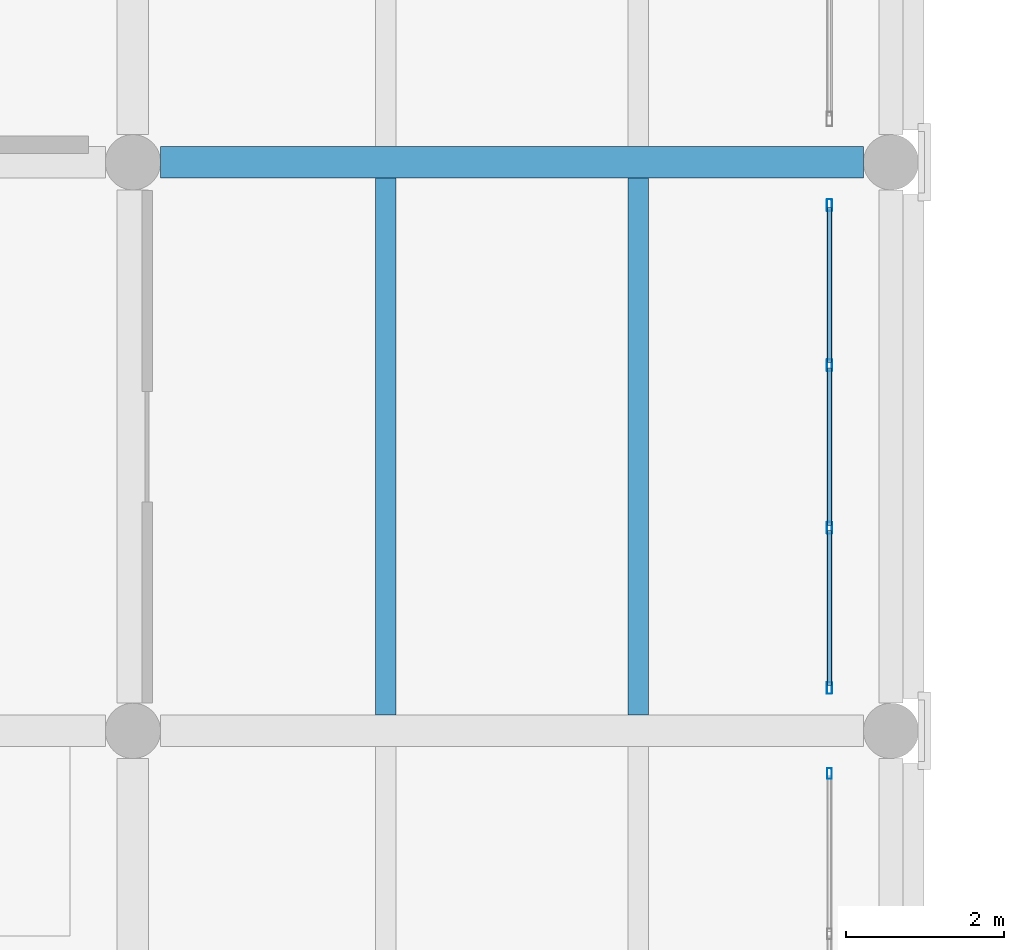
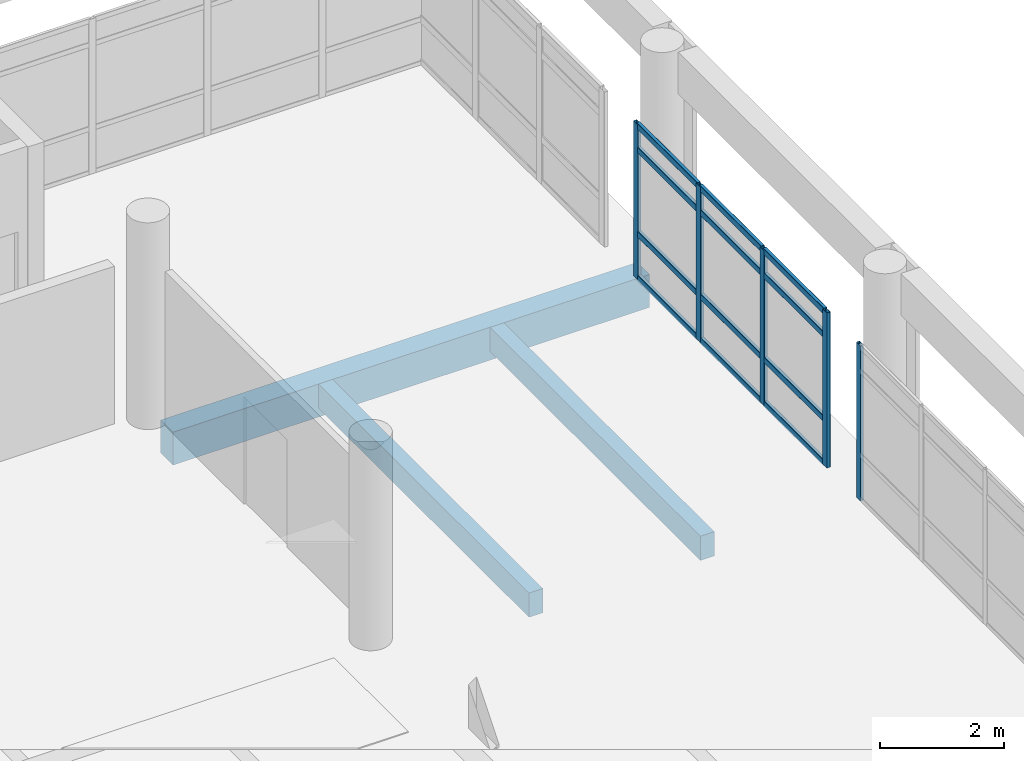
# One storey, part 51 of 180: 17 members, 3 beams, 2 elements without a shape of their own.
"""IFC4 building model written with IfcOpenShell, lengths in metres."""

from ifc_helpers import new_model, si_unit, direction, frame, origin, origin_2d, place, context, subcontext, project, spatial, rectangle, hollow_rectangle, extrude, material, layer, layer_set, material_profile, profile_set, type_object, element, aggregate, save


model = new_model("IFC4")

# Units and contexts
model_context = context("Model", 3, precision=1e-05, world=origin(), true_north=direction((0.0, 1.0)))
body_context = subcontext(model_context, "Body", "Model", "MODEL_VIEW")
ifc_project = project(units=[si_unit("LENGTHUNIT", "METRE"), si_unit("AREAUNIT", "SQUARE_METRE"), si_unit("VOLUMEUNIT", "CUBIC_METRE"), si_unit("PLANEANGLEUNIT", "RADIAN"), si_unit("MASSUNIT", "GRAM", prefix="KILO")], contexts=[model_context])

# Site, building, storey
site_placement = place(None, origin())
site = spatial("IfcSite", under=ifc_project, at=site_placement, CompositionType="ELEMENT")
building_placement = place(site_placement, origin())
building = spatial("IfcBuilding", under=site, at=building_placement, Name="Asteropetra Specialist Clinic", CompositionType="ELEMENT")
storey_placement = place(building_placement, frame((0.0, 0.0, 4.419921875)))
storey = spatial("IfcBuildingStorey", under=building, at=storey_placement, Name="L01", CompositionType="ELEMENT", Elevation=4.419921875)

# Beam
ifc_material_1 = material(Name="Concrete C35/45", Category="concrete")
ifc_material_profile_1 = material_profile(ifc_material_1, rectangle(XDim=0.39990234375, YDim=0.64990234375, at=origin_2d()), Name="RCB 400x650")
ifc_profile_set_1 = profile_set([ifc_material_profile_1], Name="Concrete C35/45")
beam_type_1 = type_object("IfcBeamType", Name="BM-RC400x650", PredefinedType="BEAM", material=ifc_profile_set_1)
beam_placement = place(storey_placement, frame((38.75, 55.199951171875, -0.625), z_axis=(1.0, 0.0, 0.0), x_axis=(0.0, 1.0, 0.0)))
element("IfcBeam", 1, at=beam_placement, inside=storey, type_object=beam_type_1, Name="Beam BBM07-0328", PredefinedType="BEAM", context=body_context, shape_type="SweptSolid", body=[
    extrude(rectangle(XDim=0.39990234375, YDim=0.64990234375, at=origin_2d()), origin(), (0.0, 0.0, 1.0), 8.89990234375),
])

# Curtain wall, member
ifc_material_2 = material(Name="Aluminium and low-E glass", Category="aluminium")
ifc_layer = layer(ifc_material_2, 0.179931640625)
ifc_layer_set = layer_set([ifc_layer], Name="Aluminium and low-E glass")
curtain_wall_type = type_object("IfcCurtainWallType", Name="CW-SYS-10", PredefinedType="USERDEFINED", material=ifc_layer_set)
curtain_wall_1_placement = place(storey_placement, origin())
curtain_wall_1 = element("IfcCurtainWall", 2, at=curtain_wall_1_placement, inside=storey, type_object=curtain_wall_type, Name="Curtain Wall CW-161", ObjectType="STICK GLAZED COLONNADE", PredefinedType="USERDEFINED")
ifc_material_3 = material(Name="Aluminium 6063-T6", Category="aluminium")
ifc_material_profile_2 = material_profile(ifc_material_3, hollow_rectangle(XDim=0.06005859375, YDim=0.135009765625, WallThickness=0.00341796875, InnerFilletRadius=0.00341796875, OuterFilletRadius=0.007080078125, at=origin_2d()), Name="MUL 135x60x3.5")
ifc_profile_set_2 = profile_set([ifc_material_profile_2], Name="Aluminium 6063-T6")
member_type_1 = type_object("IfcMemberType", Name="CWM-135x60", PredefinedType="MULLION", material=ifc_profile_set_2)
member_1_placement = place(storey_placement, frame((47.219970703125, 47.4599609375, 0.0), z_axis=(0.0, 0.0, 1.0), x_axis=(-1.0, 0.0, 0.0)))
member_1 = element("IfcMember", 3, at=member_1_placement, type_object=member_type_1, Name="CW-161 mullion 4", PredefinedType="MULLION", context=body_context, shape_type="SweptSolid", body=[
    extrude(hollow_rectangle(XDim=0.06005859375, YDim=0.135009765625, WallThickness=0.00341796875, InnerFilletRadius=0.00341796875, OuterFilletRadius=0.007080078125, at=origin_2d()), origin(), (0.0, 0.0, 1.0), 3.06005859375),
])
aggregate(curtain_wall_1, [member_1])

# Curtain wall, members
curtain_wall_2_placement = place(storey_placement, origin())
curtain_wall_2 = element("IfcCurtainWall", 4, at=curtain_wall_2_placement, inside=storey, type_object=curtain_wall_type, Name="Curtain Wall CW-163", ObjectType="STICK GLAZED COLONNADE", PredefinedType="USERDEFINED")
ifc_material_4 = material(Name="Aluminium 6063-T6", Category="aluminium")
ifc_material_profile_3 = material_profile(ifc_material_4, hollow_rectangle(XDim=0.06494140625, YDim=0.14990234375, WallThickness=0.00390625, InnerFilletRadius=0.00390625, OuterFilletRadius=0.008056640625, at=origin_2d()), Name="MUL 150x65x4.0")
ifc_profile_set_3 = profile_set([ifc_material_profile_3], Name="Aluminium 6063-T6")
member_type_2 = type_object("IfcMemberType", Name="CWM-150x65", PredefinedType="MULLION", material=ifc_profile_set_3)
member_2_placement = place(storey_placement, frame((47.219970703125, 48.54248046875, 0.0), z_axis=(0.0, 0.0, 1.0), x_axis=(-1.0, 0.0, 0.0)))
member_2 = element("IfcMember", 5, at=member_2_placement, type_object=member_type_2, Name="CW-163 mullion 1", PredefinedType="MULLION", context=body_context, shape_type="SweptSolid", body=[
    extrude(hollow_rectangle(XDim=0.06494140625, YDim=0.14990234375, WallThickness=0.00390625, InnerFilletRadius=0.00390625, OuterFilletRadius=0.008056640625, at=origin_2d()), origin(), (0.0, 0.0, 1.0), 3.06005859375),
])
member_3_placement = place(storey_placement, frame((47.219970703125, 50.570068359375, 0.0), z_axis=(0.0, 0.0, 1.0), x_axis=(-1.0, 0.0, 0.0)))
member_3 = element("IfcMember", 6, at=member_3_placement, type_object=member_type_2, Name="CW-163 mullion 2", PredefinedType="MULLION", context=body_context, shape_type="SweptSolid", body=[
    extrude(hollow_rectangle(XDim=0.06494140625, YDim=0.14990234375, WallThickness=0.00390625, InnerFilletRadius=0.00390625, OuterFilletRadius=0.008056640625, at=origin_2d()), origin(), (0.0, 0.0, 1.0), 3.06005859375),
])
member_4_placement = place(storey_placement, frame((47.219970703125, 52.6298828125, 0.0), z_axis=(0.0, 0.0, 1.0), x_axis=(-1.0, 0.0, 0.0)))
member_4 = element("IfcMember", 7, at=member_4_placement, type_object=member_type_2, Name="CW-163 mullion 3", PredefinedType="MULLION", context=body_context, shape_type="SweptSolid", body=[
    extrude(hollow_rectangle(XDim=0.06494140625, YDim=0.14990234375, WallThickness=0.00390625, InnerFilletRadius=0.00390625, OuterFilletRadius=0.008056640625, at=origin_2d()), origin(), (0.0, 0.0, 1.0), 3.06005859375),
])
member_5_placement = place(storey_placement, frame((47.219970703125, 54.657470703125, 0.0), z_axis=(0.0, 0.0, 1.0), x_axis=(-1.0, 0.0, 0.0)))
member_5 = element("IfcMember", 8, at=member_5_placement, type_object=member_type_2, Name="CW-163 mullion 4", PredefinedType="MULLION", context=body_context, shape_type="SweptSolid", body=[
    extrude(hollow_rectangle(XDim=0.06494140625, YDim=0.14990234375, WallThickness=0.00390625, InnerFilletRadius=0.00390625, OuterFilletRadius=0.008056640625, at=origin_2d()), origin(), (0.0, 0.0, 1.0), 3.06005859375),
])
ifc_material_5 = material(Name="Aluminium 6063-T6", Category="aluminium")
ifc_material_profile_4 = material_profile(ifc_material_5, hollow_rectangle(XDim=0.06494140625, YDim=0.1201171875, WallThickness=0.00390625, InnerFilletRadius=0.00390625, OuterFilletRadius=0.008056640625, at=origin_2d()), Name="TRN 120x65x4.0")
ifc_profile_set_4 = profile_set([ifc_material_profile_4], Name="Aluminium 6063-T6")
member_type_3 = type_object("IfcMemberType", Name="CWT-120x65", PredefinedType="USERDEFINED", material=ifc_profile_set_4)
member_6_placement = place(storey_placement, frame((47.219970703125, 48.574951171875, 0.032470703125), z_axis=(0.0, 1.0, 0.0), x_axis=(-1.0, 0.0, 0.0)))
member_6 = element("IfcMember", 9, at=member_6_placement, type_object=member_type_3, Name="CW-163 transom 1.1", ObjectType="TRANSOM", PredefinedType="USERDEFINED", context=body_context, shape_type="SweptSolid", body=[
    extrude(hollow_rectangle(XDim=0.06494140625, YDim=0.1201171875, WallThickness=0.00390625, InnerFilletRadius=0.00390625, OuterFilletRadius=0.008056640625, at=origin_2d()), origin(), (0.0, 0.0, 1.0), 1.962646484375),
])
member_7_placement = place(storey_placement, frame((47.219970703125, 48.574951171875, 0.900146484375), z_axis=(0.0, 1.0, 0.0), x_axis=(-1.0, 0.0, 0.0)))
member_7 = element("IfcMember", 10, at=member_7_placement, type_object=member_type_3, Name="CW-163 transom 1.2", ObjectType="TRANSOM", PredefinedType="USERDEFINED", context=body_context, shape_type="SweptSolid", body=[
    extrude(hollow_rectangle(XDim=0.06494140625, YDim=0.1201171875, WallThickness=0.00390625, InnerFilletRadius=0.00390625, OuterFilletRadius=0.008056640625, at=origin_2d()), origin(), (0.0, 0.0, 1.0), 1.962646484375),
])
member_8_placement = place(storey_placement, frame((47.219970703125, 48.574951171875, 2.56005859375), z_axis=(0.0, 1.0, 0.0), x_axis=(-1.0, 0.0, 0.0)))
member_8 = element("IfcMember", 11, at=member_8_placement, type_object=member_type_3, Name="CW-163 transom 1.3", ObjectType="TRANSOM", PredefinedType="USERDEFINED", context=body_context, shape_type="SweptSolid", body=[
    extrude(hollow_rectangle(XDim=0.06494140625, YDim=0.1201171875, WallThickness=0.00390625, InnerFilletRadius=0.00390625, OuterFilletRadius=0.008056640625, at=origin_2d()), origin(), (0.0, 0.0, 1.0), 1.962646484375),
])
member_9_placement = place(storey_placement, frame((47.219970703125, 48.574951171875, 3.027587890625), z_axis=(0.0, 1.0, 0.0), x_axis=(-1.0, 0.0, 0.0)))
member_9 = element("IfcMember", 12, at=member_9_placement, type_object=member_type_3, Name="CW-163 transom 1.4", ObjectType="TRANSOM", PredefinedType="USERDEFINED", context=body_context, shape_type="SweptSolid", body=[
    extrude(hollow_rectangle(XDim=0.06494140625, YDim=0.1201171875, WallThickness=0.00390625, InnerFilletRadius=0.00390625, OuterFilletRadius=0.008056640625, at=origin_2d()), origin(), (0.0, 0.0, 1.0), 1.962646484375),
])
member_10_placement = place(storey_placement, frame((47.219970703125, 50.6025390625, 0.032470703125), z_axis=(0.0, 1.0, 0.0), x_axis=(-1.0, 0.0, 0.0)))
member_10 = element("IfcMember", 13, at=member_10_placement, type_object=member_type_3, Name="CW-163 transom 2.1", ObjectType="TRANSOM", PredefinedType="USERDEFINED", context=body_context, shape_type="SweptSolid", body=[
    extrude(hollow_rectangle(XDim=0.06494140625, YDim=0.1201171875, WallThickness=0.00390625, InnerFilletRadius=0.00390625, OuterFilletRadius=0.008056640625, at=origin_2d()), origin(), (0.0, 0.0, 1.0), 1.994873046875),
])
member_11_placement = place(storey_placement, frame((47.219970703125, 50.6025390625, 0.900146484375), z_axis=(0.0, 1.0, 0.0), x_axis=(-1.0, 0.0, 0.0)))
member_11 = element("IfcMember", 14, at=member_11_placement, type_object=member_type_3, Name="CW-163 transom 2.2", ObjectType="TRANSOM", PredefinedType="USERDEFINED", context=body_context, shape_type="SweptSolid", body=[
    extrude(hollow_rectangle(XDim=0.06494140625, YDim=0.1201171875, WallThickness=0.00390625, InnerFilletRadius=0.00390625, OuterFilletRadius=0.008056640625, at=origin_2d()), origin(), (0.0, 0.0, 1.0), 1.994873046875),
])
member_12_placement = place(storey_placement, frame((47.219970703125, 50.6025390625, 2.56005859375), z_axis=(0.0, 1.0, 0.0), x_axis=(-1.0, 0.0, 0.0)))
member_12 = element("IfcMember", 15, at=member_12_placement, type_object=member_type_3, Name="CW-163 transom 2.3", ObjectType="TRANSOM", PredefinedType="USERDEFINED", context=body_context, shape_type="SweptSolid", body=[
    extrude(hollow_rectangle(XDim=0.06494140625, YDim=0.1201171875, WallThickness=0.00390625, InnerFilletRadius=0.00390625, OuterFilletRadius=0.008056640625, at=origin_2d()), origin(), (0.0, 0.0, 1.0), 1.994873046875),
])
member_13_placement = place(storey_placement, frame((47.219970703125, 50.6025390625, 3.027587890625), z_axis=(0.0, 1.0, 0.0), x_axis=(-1.0, 0.0, 0.0)))
member_13 = element("IfcMember", 16, at=member_13_placement, type_object=member_type_3, Name="CW-163 transom 2.4", ObjectType="TRANSOM", PredefinedType="USERDEFINED", context=body_context, shape_type="SweptSolid", body=[
    extrude(hollow_rectangle(XDim=0.06494140625, YDim=0.1201171875, WallThickness=0.00390625, InnerFilletRadius=0.00390625, OuterFilletRadius=0.008056640625, at=origin_2d()), origin(), (0.0, 0.0, 1.0), 1.994873046875),
])
member_14_placement = place(storey_placement, frame((47.219970703125, 52.66259765625, 0.032470703125), z_axis=(0.0, 1.0, 0.0), x_axis=(-1.0, 0.0, 0.0)))
member_14 = element("IfcMember", 17, at=member_14_placement, type_object=member_type_3, Name="CW-163 transom 3.1", ObjectType="TRANSOM", PredefinedType="USERDEFINED", context=body_context, shape_type="SweptSolid", body=[
    extrude(hollow_rectangle(XDim=0.06494140625, YDim=0.1201171875, WallThickness=0.00390625, InnerFilletRadius=0.00390625, OuterFilletRadius=0.008056640625, at=origin_2d()), origin(), (0.0, 0.0, 1.0), 1.96240234375),
])
member_15_placement = place(storey_placement, frame((47.219970703125, 52.66259765625, 0.900146484375), z_axis=(0.0, 1.0, 0.0), x_axis=(-1.0, 0.0, 0.0)))
member_15 = element("IfcMember", 18, at=member_15_placement, type_object=member_type_3, Name="CW-163 transom 3.2", ObjectType="TRANSOM", PredefinedType="USERDEFINED", context=body_context, shape_type="SweptSolid", body=[
    extrude(hollow_rectangle(XDim=0.06494140625, YDim=0.1201171875, WallThickness=0.00390625, InnerFilletRadius=0.00390625, OuterFilletRadius=0.008056640625, at=origin_2d()), origin(), (0.0, 0.0, 1.0), 1.96240234375),
])
member_16_placement = place(storey_placement, frame((47.219970703125, 52.66259765625, 2.56005859375), z_axis=(0.0, 1.0, 0.0), x_axis=(-1.0, 0.0, 0.0)))
member_16 = element("IfcMember", 19, at=member_16_placement, type_object=member_type_3, Name="CW-163 transom 3.3", ObjectType="TRANSOM", PredefinedType="USERDEFINED", context=body_context, shape_type="SweptSolid", body=[
    extrude(hollow_rectangle(XDim=0.06494140625, YDim=0.1201171875, WallThickness=0.00390625, InnerFilletRadius=0.00390625, OuterFilletRadius=0.008056640625, at=origin_2d()), origin(), (0.0, 0.0, 1.0), 1.96240234375),
])
member_17_placement = place(storey_placement, frame((47.219970703125, 52.66259765625, 3.027587890625), z_axis=(0.0, 1.0, 0.0), x_axis=(-1.0, 0.0, 0.0)))
member_17 = element("IfcMember", 20, at=member_17_placement, type_object=member_type_3, Name="CW-163 transom 3.4", ObjectType="TRANSOM", PredefinedType="USERDEFINED", context=body_context, shape_type="SweptSolid", body=[
    extrude(hollow_rectangle(XDim=0.06494140625, YDim=0.1201171875, WallThickness=0.00390625, InnerFilletRadius=0.00390625, OuterFilletRadius=0.008056640625, at=origin_2d()), origin(), (0.0, 0.0, 1.0), 1.96240234375),
])
aggregate(curtain_wall_2, [member_2, member_3, member_4, member_5, member_6, member_7, member_8, member_9, member_10, member_11, member_12, member_13, member_14, member_15, member_16, member_17])

# Beams
ifc_material_6 = material(Name="Concrete C35/45", Category="concrete")
ifc_material_profile_5 = material_profile(ifc_material_6, rectangle(XDim=0.260009765625, YDim=0.47998046875, at=origin_2d()), Name="RCJ 260x480")
ifc_profile_set_5 = profile_set([ifc_material_profile_5], Name="Concrete C35/45")
beam_type_2 = type_object("IfcBeamType", Name="JST-RC260x480", PredefinedType="JOIST", material=ifc_profile_set_5)
for number, where, z_axis, x_axis, name in (
    (21, (41.60009765625, 48.199951171875, -0.5400390625), (0.0, 1.0, 0.0), (-1.0, 0.0, 0.0), "Joist JJST02-0378"),
    (22, (44.800048828125, 48.199951171875, -0.5400390625), (0.0, 1.0, 0.0), (-1.0, 0.0, 0.0), "Joist JJST02-0379"),
):
    element("IfcBeam", number, at=place(storey_placement, frame(where, z_axis=z_axis, x_axis=x_axis)), inside=storey, type_object=beam_type_2, Name=name, PredefinedType="JOIST", context=body_context, shape_type="SweptSolid", body=[
        extrude(rectangle(XDim=0.260009765625, YDim=0.47998046875, at=origin_2d()), origin(), (0.0, 0.0, 1.0), 6.800048828125),
    ])

save(model, "model.ifc")
